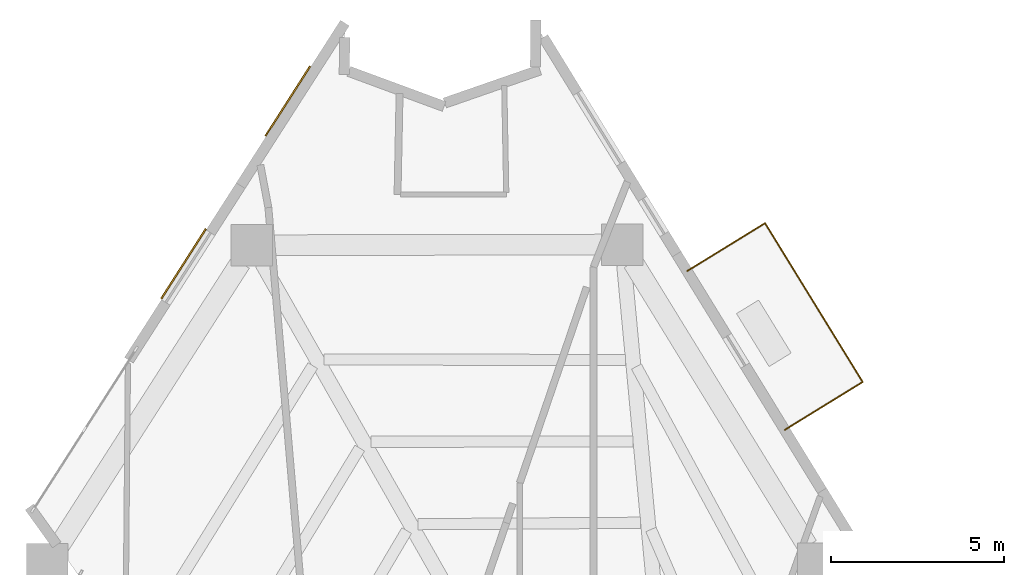
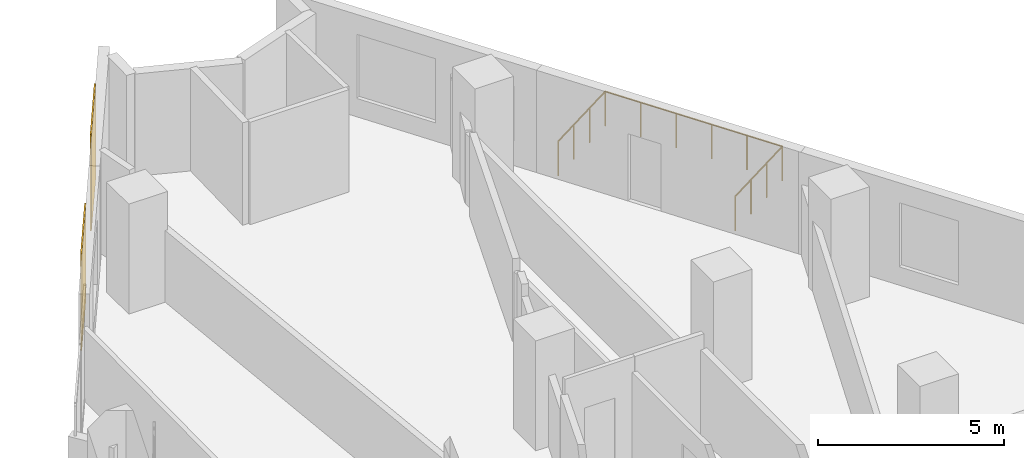
# One storey, part 13 of 13: 2 coverings, 1 railing.
"""IFC4 building model written with IfcOpenShell, lengths in metres."""

from ifc_helpers import new_model, si_unit, direction, frame, origin, origin_2d, place, context, subcontext, project, spatial, rectangle, circle, extrude, material, layer, layer_set, type_object, element, save


model = new_model("IFC4")

# Units and contexts
model_context = context("Model", 3, precision=1e-05, world=origin(), true_north=direction((0.0, 1.0)))
body_context = subcontext(model_context, "Body", "Model", "MODEL_VIEW")
ifc_project = project(units=[si_unit("LENGTHUNIT", "METRE"), si_unit("AREAUNIT", "SQUARE_METRE"), si_unit("VOLUMEUNIT", "CUBIC_METRE"), si_unit("PLANEANGLEUNIT", "RADIAN"), si_unit("MASSUNIT", "GRAM", prefix="KILO")], contexts=[model_context])

# Site, building, storey
site_placement = place(None, origin())
site = spatial("IfcSite", under=ifc_project, at=site_placement, CompositionType="ELEMENT")
building_placement = place(site_placement, origin())
building = spatial("IfcBuilding", under=site, at=building_placement, Name="Almagre Mirador Tower", CompositionType="ELEMENT")
storey_placement = place(building_placement, frame((0.0, 0.0, 85.800048828125)))
storey = spatial("IfcBuildingStorey", under=building, at=storey_placement, Name="L21", CompositionType="ELEMENT", Elevation=85.800048828125)

# Coverings
ifc_material_1 = material(Name="Almagre terracotta architectural cladding", Category="masonry")
ifc_layer = layer(ifc_material_1, 0.044921875)
ifc_layer_set = layer_set([ifc_layer], Name="Almagre terracotta architectural cladding")
covering_type = type_object("IfcCoveringType", Name="COV-CLAD-ALMAGRE", PredefinedType="CLADDING", material=ifc_layer_set)
for number, where, z_axis, x_axis, name in (
    (1, (29.124267578125, 36.651611328125, 0.10009765625), (0.0, 0.0, 1.0), (0.539461671362, 0.84201015738, 0.0), "L21 almagre terracotta pier cladding"),
    (2, (32.141357421875, 41.360595703125, 0.10009765625), (0.0, 0.0, 1.0), (0.539461671362, 0.84201015738, 0.0), "L21 almagre terracotta pier cladding"),
):
    element("IfcCovering", number, at=place(storey_placement, frame(where, z_axis=z_axis, x_axis=x_axis)), inside=storey, type_object=covering_type, Name=name, PredefinedType="CLADDING", context=body_context, shape_type="SweptSolid", body=[
        extrude(rectangle(XDim=2.39990234375, YDim=0.044921875, at=origin_2d()), origin(), (0.0, 0.0, 1.0), 3.14990234375),
    ])

# Railing
ifc_material_2 = material(Name="Black anodized aluminium", Category="aluminium")
railing_type = type_object("IfcRailingType", Name="RLG-BAL-1150", PredefinedType="BALUSTRADE", material=ifc_material_2)
railing_placement = place(storey_placement, frame((46.533935546875, 31.840087890625, 0.0)))
element("IfcRailing", 3, at=railing_placement, inside=storey, type_object=railing_type, Name="L21 east balcony balustrade 2", PredefinedType="BALUSTRADE", context=body_context, shape_type="SweptSolid", body=[
    extrude(circle(Radius=0.02392578125, at=origin_2d()), frame((0.0, 0.0, 1.1259765625), z_axis=(0.851933345943, 0.523650240208, 0.0), x_axis=(-0.523650240208, 0.851933345943, 0.0)), (0.0, 0.0, 1.0), 2.650390625),
    extrude(circle(Radius=0.02392578125, at=origin_2d()), frame((2.258056640625, 1.387939453125, 1.1259765625), z_axis=(-0.523721491312, 0.85188954656, 0.0), x_axis=(-0.85188954656, -0.523721491312, 0.0)), (0.0, 0.0, 1.0), 5.399658203125),
    extrude(circle(Radius=0.02392578125, at=origin_2d()), frame((-0.56982421875, 5.98779296875, 1.1259765625), z_axis=(-0.851933345943, -0.523650240208, 0.0), x_axis=(0.523650240208, -0.851933345943, 0.0)), (0.0, 0.0, 1.0), 2.650390625),
    extrude(circle(Radius=0.02099609375, at=origin_2d()), origin(), (0.0, 0.0, 1.0), 1.101806640625),
    extrude(circle(Radius=0.02099609375, at=origin_2d()), frame((0.752685546875, 0.462646484375, 0.0)), (0.0, 0.0, 1.0), 1.101806640625),
    extrude(circle(Radius=0.02099609375, at=origin_2d()), frame((1.50537109375, 0.92529296875, 0.0)), (0.0, 0.0, 1.0), 1.101806640625),
    extrude(circle(Radius=0.02099609375, at=origin_2d()), frame((2.258056640625, 1.387939453125, 0.0)), (0.0, 0.0, 1.0), 1.101806640625),
    extrude(circle(Radius=0.02099609375, at=origin_2d()), frame((1.6923828125, 2.307861328125, 0.0)), (0.0, 0.0, 1.0), 1.101806640625),
    extrude(circle(Radius=0.02099609375, at=origin_2d()), frame((1.126953125, 3.227783203125, 0.0)), (0.0, 0.0, 1.0), 1.101806640625),
    extrude(circle(Radius=0.02099609375, at=origin_2d()), frame((0.561279296875, 4.14794921875, 0.0)), (0.0, 0.0, 1.0), 1.101806640625),
    extrude(circle(Radius=0.02099609375, at=origin_2d()), frame((-0.004150390625, 5.06787109375, 0.0)), (0.0, 0.0, 1.0), 1.101806640625),
    extrude(circle(Radius=0.02099609375, at=origin_2d()), frame((-0.56982421875, 5.98779296875, 0.0)), (0.0, 0.0, 1.0), 1.101806640625),
    extrude(circle(Radius=0.02099609375, at=origin_2d()), frame((-1.322509765625, 5.525146484375, 0.0)), (0.0, 0.0, 1.0), 1.101806640625),
    extrude(circle(Radius=0.02099609375, at=origin_2d()), frame((-2.0751953125, 5.0625, 0.0)), (0.0, 0.0, 1.0), 1.101806640625),
    extrude(circle(Radius=0.02099609375, at=origin_2d()), frame((-2.827880859375, 4.599853515625, 0.0)), (0.0, 0.0, 1.0), 1.101806640625),
])

save(model, "model.ifc")
